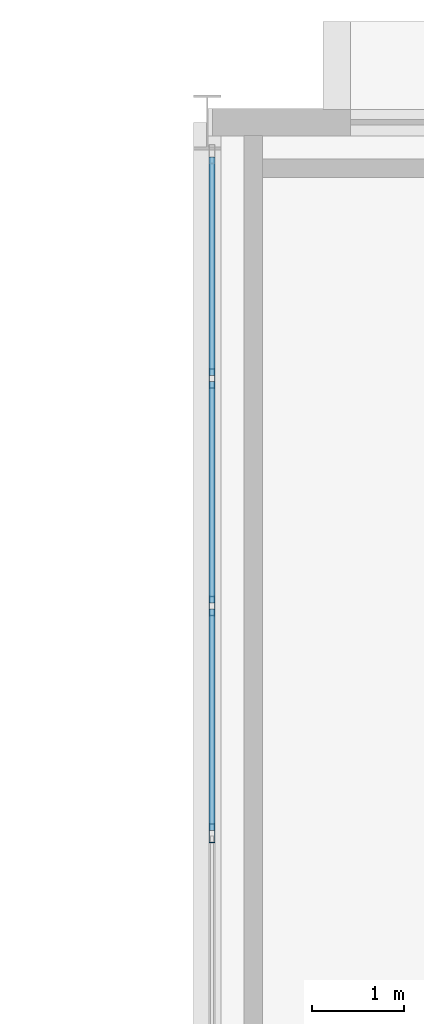
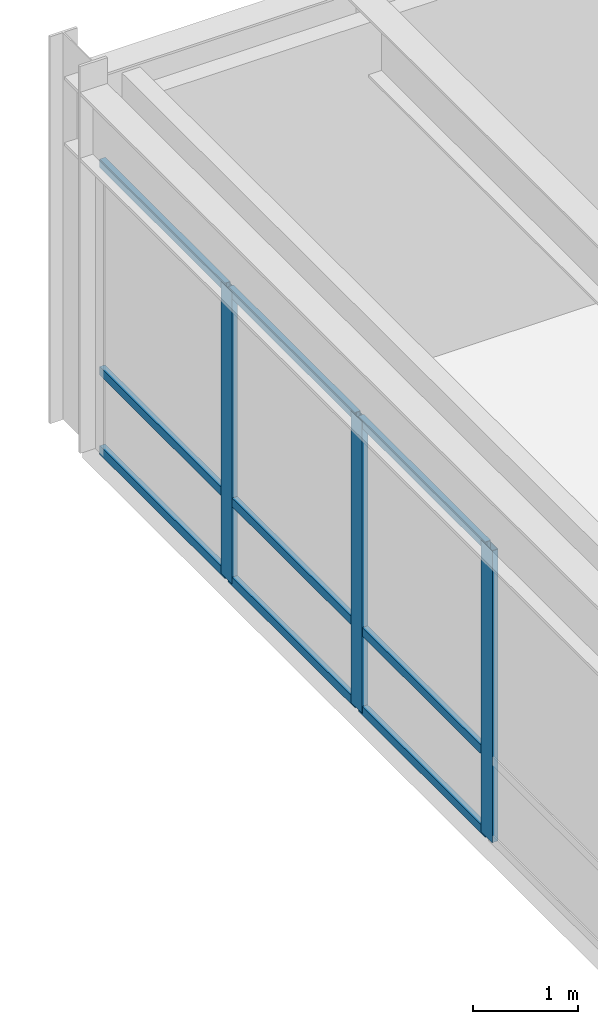
# One storey, part 80 of 115: 12 members, 1 element without a shape of its own.
"""IFC4 building model written with IfcOpenShell, lengths in metres."""

from ifc_helpers import new_model, si_unit, direction, frame, origin, origin_2d, place, context, subcontext, project, spatial, hollow_rectangle, extrude, material, layer, layer_set, material_profile, profile_set, type_object, element, aggregate, save


model = new_model("IFC4")

# Units and contexts
model_context = context("Model", 3, precision=1e-05, world=origin(), true_north=direction((0.0, 1.0)))
body_context = subcontext(model_context, "Body", "Model", "MODEL_VIEW")
ifc_project = project(units=[si_unit("LENGTHUNIT", "METRE"), si_unit("AREAUNIT", "SQUARE_METRE"), si_unit("VOLUMEUNIT", "CUBIC_METRE"), si_unit("PLANEANGLEUNIT", "RADIAN"), si_unit("MASSUNIT", "GRAM", prefix="KILO")], contexts=[model_context])

# Site, building, storey
site_placement = place(None, origin())
site = spatial("IfcSite", under=ifc_project, at=site_placement, CompositionType="ELEMENT")
building_placement = place(site_placement, origin())
building = spatial("IfcBuilding", under=site, at=building_placement, Name="Montelvaro Courts of Justice", CompositionType="ELEMENT")
storey_placement = place(building_placement, frame((0.0, 0.0, 9.89990234375)))
storey = spatial("IfcBuildingStorey", under=building, at=storey_placement, Name="L02", CompositionType="ELEMENT", Elevation=9.89990234375)

# Curtain wall, members
ifc_material = material(Name="Anodised aluminium EN AW-6063", Category="aluminium")
ifc_layer = layer(ifc_material, 0.159912109375)
ifc_layer_set = layer_set([ifc_layer], Name="Anodised aluminium EN AW-6063")
curtain_wall_type = type_object("IfcCurtainWallType", Name="CurtainWall_27_1737x418", PredefinedType="USERDEFINED", material=ifc_layer_set)
curtain_wall_placement = place(storey_placement, origin())
curtain_wall = element("IfcCurtainWall", 1, at=curtain_wall_placement, inside=storey, type_object=curtain_wall_type, Name="Curtain Wall CW-27 (L02)", ObjectType="CURTAIN WALL", PredefinedType="USERDEFINED")
ifc_material_profile_1 = material_profile(ifc_material, hollow_rectangle(XDim=0.06494140625, YDim=0.2099609375, WallThickness=0.0048828125, at=origin_2d()), Name="ALU-M 65x210")
ifc_profile_set_1 = profile_set([ifc_material_profile_1], Name="Anodised aluminium EN AW-6063")
member_type_1 = type_object("IfcMemberType", Name="CurtainWall_Mullion_65x210", PredefinedType="MULLION", material=ifc_profile_set_1)
member_1_placement = place(storey_placement, frame((99.050048828125, 93.20361328125, 0.0), z_axis=(0.0, 0.0, 1.0), x_axis=(1.0, 0.0, 0.0)))
member_1 = element("IfcMember", 2, at=member_1_placement, type_object=member_type_1, Name="CW-27 mullion 2", PredefinedType="MULLION", context=body_context, shape_type="SweptSolid", body=[
    extrude(hollow_rectangle(XDim=0.06494140625, YDim=0.2099609375, WallThickness=0.0048828125, at=origin_2d()), origin(), (0.0, 0.0, 1.0), 3.39501953125),
])
member_2_placement = place(storey_placement, frame((99.050048828125, 90.72216796875, 0.0), z_axis=(0.0, 0.0, 1.0), x_axis=(1.0, 0.0, 0.0)))
member_2 = element("IfcMember", 3, at=member_2_placement, type_object=member_type_1, Name="CW-27 mullion 3", PredefinedType="MULLION", context=body_context, shape_type="SweptSolid", body=[
    extrude(hollow_rectangle(XDim=0.06494140625, YDim=0.2099609375, WallThickness=0.0048828125, at=origin_2d()), origin(), (0.0, 0.0, 1.0), 3.39501953125),
])
member_3_placement = place(storey_placement, frame((99.050048828125, 88.24072265625, 0.0), z_axis=(0.0, 0.0, 1.0), x_axis=(1.0, 0.0, 0.0)))
member_3 = element("IfcMember", 4, at=member_3_placement, type_object=member_type_1, Name="CW-27 mullion 4", PredefinedType="MULLION", context=body_context, shape_type="SweptSolid", body=[
    extrude(hollow_rectangle(XDim=0.06494140625, YDim=0.2099609375, WallThickness=0.0048828125, at=origin_2d()), origin(), (0.0, 0.0, 1.0), 3.39501953125),
])
ifc_material_profile_2 = material_profile(ifc_material, hollow_rectangle(XDim=0.06005859375, YDim=0.10009765625, WallThickness=0.00341796875, at=origin_2d()), Name="ALU-T 60x100")
ifc_profile_set_2 = profile_set([ifc_material_profile_2], Name="Anodised aluminium EN AW-6063")
member_type_2 = type_object("IfcMemberType", Name="CurtainWall_Transom_60x100", PredefinedType="USERDEFINED", material=ifc_profile_set_2)
member_4_placement = place(storey_placement, frame((99.050048828125, 95.6201171875, 0.030029296875), z_axis=(0.0, -1.0, 0.0), x_axis=(1.0, 0.0, 0.0)))
member_4 = element("IfcMember", 5, at=member_4_placement, type_object=member_type_2, Name="CW-27 transom 1.1", ObjectType="TRANSOM", PredefinedType="USERDEFINED", context=body_context, shape_type="SweptSolid", body=[
    extrude(hollow_rectangle(XDim=0.06005859375, YDim=0.10009765625, WallThickness=0.00341796875, at=origin_2d()), origin(), (0.0, 0.0, 1.0), 2.384033203125),
])
member_5_placement = place(storey_placement, frame((99.050048828125, 95.6201171875, 0.9501953125), z_axis=(0.0, -1.0, 0.0), x_axis=(1.0, 0.0, 0.0)))
member_5 = element("IfcMember", 6, at=member_5_placement, type_object=member_type_2, Name="CW-27 transom 1.2", ObjectType="TRANSOM", PredefinedType="USERDEFINED", context=body_context, shape_type="SweptSolid", body=[
    extrude(hollow_rectangle(XDim=0.06005859375, YDim=0.10009765625, WallThickness=0.00341796875, at=origin_2d()), origin(), (0.0, 0.0, 1.0), 2.384033203125),
])
member_6_placement = place(storey_placement, frame((99.050048828125, 95.6201171875, 3.364990234375), z_axis=(0.0, -1.0, 0.0), x_axis=(1.0, 0.0, 0.0)))
member_6 = element("IfcMember", 7, at=member_6_placement, type_object=member_type_2, Name="CW-27 transom 1.3", ObjectType="TRANSOM", PredefinedType="USERDEFINED", context=body_context, shape_type="SweptSolid", body=[
    extrude(hollow_rectangle(XDim=0.06005859375, YDim=0.10009765625, WallThickness=0.00341796875, at=origin_2d()), origin(), (0.0, 0.0, 1.0), 2.384033203125),
])
member_7_placement = place(storey_placement, frame((99.050048828125, 93.171142578125, 0.030029296875), z_axis=(0.0, -1.0, 0.0), x_axis=(1.0, 0.0, 0.0)))
member_7 = element("IfcMember", 8, at=member_7_placement, type_object=member_type_2, Name="CW-27 transom 2.1", ObjectType="TRANSOM", PredefinedType="USERDEFINED", context=body_context, shape_type="SweptSolid", body=[
    extrude(hollow_rectangle(XDim=0.06005859375, YDim=0.10009765625, WallThickness=0.00341796875, at=origin_2d()), origin(), (0.0, 0.0, 1.0), 2.41650390625),
])
member_8_placement = place(storey_placement, frame((99.050048828125, 93.171142578125, 0.9501953125), z_axis=(0.0, -1.0, 0.0), x_axis=(1.0, 0.0, 0.0)))
member_8 = element("IfcMember", 9, at=member_8_placement, type_object=member_type_2, Name="CW-27 transom 2.2", ObjectType="TRANSOM", PredefinedType="USERDEFINED", context=body_context, shape_type="SweptSolid", body=[
    extrude(hollow_rectangle(XDim=0.06005859375, YDim=0.10009765625, WallThickness=0.00341796875, at=origin_2d()), origin(), (0.0, 0.0, 1.0), 2.41650390625),
])
member_9_placement = place(storey_placement, frame((99.050048828125, 93.171142578125, 3.364990234375), z_axis=(0.0, -1.0, 0.0), x_axis=(1.0, 0.0, 0.0)))
member_9 = element("IfcMember", 10, at=member_9_placement, type_object=member_type_2, Name="CW-27 transom 2.3", ObjectType="TRANSOM", PredefinedType="USERDEFINED", context=body_context, shape_type="SweptSolid", body=[
    extrude(hollow_rectangle(XDim=0.06005859375, YDim=0.10009765625, WallThickness=0.00341796875, at=origin_2d()), origin(), (0.0, 0.0, 1.0), 2.41650390625),
])
member_10_placement = place(storey_placement, frame((99.050048828125, 90.689697265625, 0.030029296875), z_axis=(0.0, -1.0, 0.0), x_axis=(1.0, 0.0, 0.0)))
member_10 = element("IfcMember", 11, at=member_10_placement, type_object=member_type_2, Name="CW-27 transom 3.1", ObjectType="TRANSOM", PredefinedType="USERDEFINED", context=body_context, shape_type="SweptSolid", body=[
    extrude(hollow_rectangle(XDim=0.06005859375, YDim=0.10009765625, WallThickness=0.00341796875, at=origin_2d()), origin(), (0.0, 0.0, 1.0), 2.41650390625),
])
member_11_placement = place(storey_placement, frame((99.050048828125, 90.689697265625, 0.9501953125), z_axis=(0.0, -1.0, 0.0), x_axis=(1.0, 0.0, 0.0)))
member_11 = element("IfcMember", 12, at=member_11_placement, type_object=member_type_2, Name="CW-27 transom 3.2", ObjectType="TRANSOM", PredefinedType="USERDEFINED", context=body_context, shape_type="SweptSolid", body=[
    extrude(hollow_rectangle(XDim=0.06005859375, YDim=0.10009765625, WallThickness=0.00341796875, at=origin_2d()), origin(), (0.0, 0.0, 1.0), 2.41650390625),
])
member_12_placement = place(storey_placement, frame((99.050048828125, 90.689697265625, 3.364990234375), z_axis=(0.0, -1.0, 0.0), x_axis=(1.0, 0.0, 0.0)))
member_12 = element("IfcMember", 13, at=member_12_placement, type_object=member_type_2, Name="CW-27 transom 3.3", ObjectType="TRANSOM", PredefinedType="USERDEFINED", context=body_context, shape_type="SweptSolid", body=[
    extrude(hollow_rectangle(XDim=0.06005859375, YDim=0.10009765625, WallThickness=0.00341796875, at=origin_2d()), origin(), (0.0, 0.0, 1.0), 2.41650390625),
])
aggregate(curtain_wall, [member_1, member_2, member_3, member_4, member_5, member_6, member_7, member_8, member_9, member_10, member_11, member_12])

save(model, "model.ifc")
